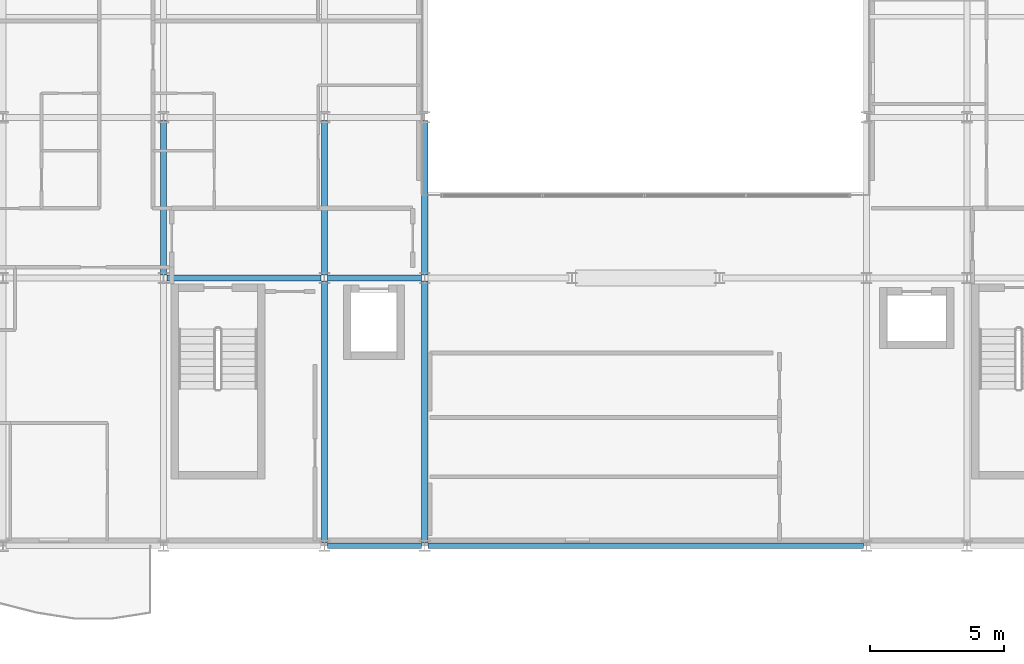
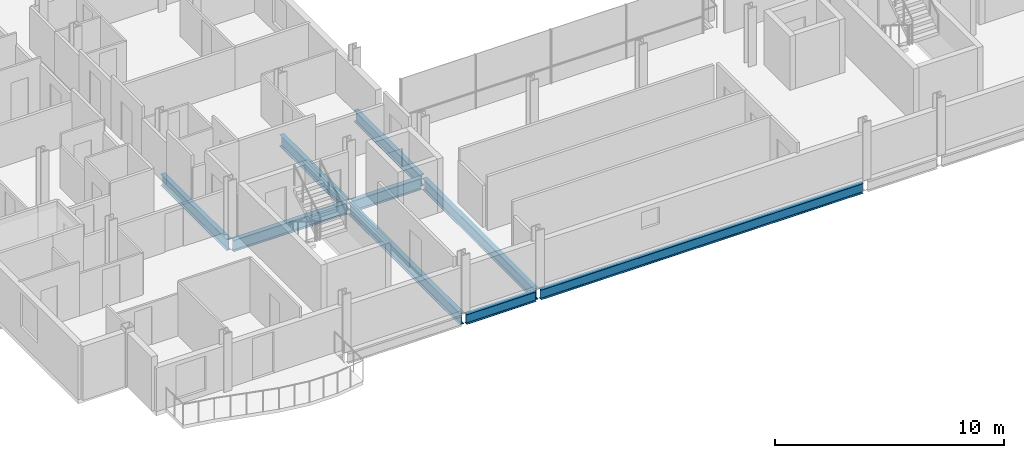
# One storey, part 3 of 41: 9 beams.
"""IFC4 building model written with IfcOpenShell, lengths in metres."""

from ifc_helpers import new_model, si_unit, direction, frame, origin, origin_2d, place, context, subcontext, project, spatial, i_section, extrude, material, material_profile, profile_set, type_object, element, save


model = new_model("IFC4")

# Units and contexts
model_context = context("Model", 3, precision=1e-05, world=origin(), true_north=direction((0.0, 1.0)))
body_context = subcontext(model_context, "Body", "Model", "MODEL_VIEW")
ifc_project = project(units=[si_unit("LENGTHUNIT", "METRE"), si_unit("AREAUNIT", "SQUARE_METRE"), si_unit("VOLUMEUNIT", "CUBIC_METRE"), si_unit("PLANEANGLEUNIT", "RADIAN"), si_unit("MASSUNIT", "GRAM", prefix="KILO")], contexts=[model_context])

# Site, building, storey
site_placement = place(None, origin())
site = spatial("IfcSite", under=ifc_project, at=site_placement, CompositionType="ELEMENT")
building_placement = place(site_placement, origin())
building = spatial("IfcBuilding", under=site, at=building_placement, Name="Brevholm Reach", CompositionType="ELEMENT")
storey_placement = place(building_placement, frame((0.0, 0.0, 112.800048828125)))
storey = spatial("IfcBuildingStorey", under=building, at=storey_placement, Name="L33", CompositionType="ELEMENT", Elevation=112.800048828125)

# Beams
ifc_material_1 = material(Name="Structural Steel S355J2", Category="steel")
ifc_material_profile_1 = material_profile(ifc_material_1, i_section(OverallWidth=0.209228515625, OverallDepth=0.533203125, WebThickness=0.010009765625, FlangeThickness=0.015625, FilletRadius=0.0126953125, at=origin_2d()), Name="UKB 533x210x92")
ifc_profile_set_1 = profile_set([ifc_material_profile_1], Name="Structural Steel S355J2")
beam_type_1 = type_object("IfcBeamType", Name="BM-SP533", PredefinedType="SPANDREL", material=ifc_profile_set_1)
beam_1_placement = place(storey_placement, frame((18.1201171875, 0.0, -0.486572265625), z_axis=(1.0, 0.0, 0.0), x_axis=(0.0, 1.0, 0.0)))
element("IfcBeam", 1, at=beam_1_placement, inside=storey, type_object=beam_type_1, Name="L33 SP-02 Framing Beam", PredefinedType="SPANDREL", context=body_context, shape_type="SweptSolid", body=[
    extrude(i_section(OverallWidth=0.209228515625, OverallDepth=0.533203125, WebThickness=0.010009765625, FlangeThickness=0.015625, FilletRadius=0.0126953125, at=origin_2d()), origin(), (0.0, 0.0, 1.0), 3.509765625),
])
beam_2_placement = place(storey_placement, frame((21.8701171875, 0.0, -0.486572265625), z_axis=(1.0, 0.0, 0.0), x_axis=(0.0, 1.0, 0.0)))
element("IfcBeam", 2, at=beam_2_placement, inside=storey, type_object=beam_type_1, Name="L33 SP-02 Framing Beam", PredefinedType="SPANDREL", context=body_context, shape_type="SweptSolid", body=[
    extrude(i_section(OverallWidth=0.209228515625, OverallDepth=0.533203125, WebThickness=0.010009765625, FlangeThickness=0.015625, FilletRadius=0.0126953125, at=origin_2d()), origin(), (0.0, 0.0, 1.0), 16.259765625),
])
ifc_material_2 = material(Name="Structural Steel S355J2", Category="steel")
ifc_material_profile_2 = material_profile(ifc_material_2, i_section(OverallWidth=0.22900390625, OverallDepth=0.6123046875, WebThickness=0.011962890625, FlangeThickness=0.01953125, FilletRadius=0.0126953125, at=origin_2d()), Name="UKB 610x229x125")
ifc_profile_set_2 = profile_set([ifc_material_profile_2], Name="Structural Steel S355J2")
beam_type_2 = type_object("IfcBeamType", Name="BM-SP610", PredefinedType="SPANDREL", material=ifc_profile_set_2)
beam_3_placement = place(storey_placement, frame((12.1201171875, 10.0, -0.526123046875), z_axis=(1.0, 0.0, 0.0), x_axis=(0.0, 1.0, 0.0)))
element("IfcBeam", 3, at=beam_3_placement, inside=storey, type_object=beam_type_2, Name="L33 SP-01 Framing Beam", PredefinedType="SPANDREL", context=body_context, shape_type="SweptSolid", body=[
    extrude(i_section(OverallWidth=0.22900390625, OverallDepth=0.6123046875, WebThickness=0.011962890625, FlangeThickness=0.01953125, FilletRadius=0.0126953125, at=origin_2d()), origin(), (0.0, 0.0, 1.0), 5.759765625),
])
beam_4_placement = place(storey_placement, frame((18.1201171875, 10.0, -0.526123046875), z_axis=(1.0, 0.0, 0.0), x_axis=(0.0, 1.0, 0.0)))
element("IfcBeam", 4, at=beam_4_placement, inside=storey, type_object=beam_type_2, Name="L33 SP-01 Framing Beam", PredefinedType="SPANDREL", context=body_context, shape_type="SweptSolid", body=[
    extrude(i_section(OverallWidth=0.22900390625, OverallDepth=0.6123046875, WebThickness=0.011962890625, FlangeThickness=0.01953125, FilletRadius=0.0126953125, at=origin_2d()), origin(), (0.0, 0.0, 1.0), 3.509765625),
])
beam_5_placement = place(storey_placement, frame((12.0, 10.1201171875, -0.526123046875), z_axis=(0.0, 1.0, 0.0), x_axis=(-1.0, 0.0, 0.0)))
element("IfcBeam", 5, at=beam_5_placement, inside=storey, type_object=beam_type_2, Name="L33 SP-01 Framing Beam", PredefinedType="SPANDREL", context=body_context, shape_type="SweptSolid", body=[
    extrude(i_section(OverallWidth=0.22900390625, OverallDepth=0.6123046875, WebThickness=0.011962890625, FlangeThickness=0.01953125, FilletRadius=0.0126953125, at=origin_2d()), origin(), (0.0, 0.0, 1.0), 5.759765625),
])
beam_6_placement = place(storey_placement, frame((18.0, 0.1201171875, -0.526123046875), z_axis=(0.0, 1.0, 0.0), x_axis=(-1.0, 0.0, 0.0)))
element("IfcBeam", 6, at=beam_6_placement, inside=storey, type_object=beam_type_2, Name="L33 SP-01 Framing Beam", PredefinedType="SPANDREL", context=body_context, shape_type="SweptSolid", body=[
    extrude(i_section(OverallWidth=0.22900390625, OverallDepth=0.6123046875, WebThickness=0.011962890625, FlangeThickness=0.01953125, FilletRadius=0.0126953125, at=origin_2d()), origin(), (0.0, 0.0, 1.0), 9.759765625),
])
beam_7_placement = place(storey_placement, frame((18.0, 10.1201171875, -0.526123046875), z_axis=(0.0, 1.0, 0.0), x_axis=(-1.0, 0.0, 0.0)))
element("IfcBeam", 7, at=beam_7_placement, inside=storey, type_object=beam_type_2, Name="L33 SP-01 Framing Beam", PredefinedType="SPANDREL", context=body_context, shape_type="SweptSolid", body=[
    extrude(i_section(OverallWidth=0.22900390625, OverallDepth=0.6123046875, WebThickness=0.011962890625, FlangeThickness=0.01953125, FilletRadius=0.0126953125, at=origin_2d()), origin(), (0.0, 0.0, 1.0), 5.759765625),
])
beam_8_placement = place(storey_placement, frame((21.75, 0.1201171875, -0.526123046875), z_axis=(0.0, 1.0, 0.0), x_axis=(-1.0, 0.0, 0.0)))
element("IfcBeam", 8, at=beam_8_placement, inside=storey, type_object=beam_type_2, Name="L33 SP-01 Framing Beam", PredefinedType="SPANDREL", context=body_context, shape_type="SweptSolid", body=[
    extrude(i_section(OverallWidth=0.22900390625, OverallDepth=0.6123046875, WebThickness=0.011962890625, FlangeThickness=0.01953125, FilletRadius=0.0126953125, at=origin_2d()), origin(), (0.0, 0.0, 1.0), 9.759765625),
])
beam_9_placement = place(storey_placement, frame((21.75, 10.1201171875, -0.526123046875), z_axis=(0.0, 1.0, 0.0), x_axis=(-1.0, 0.0, 0.0)))
element("IfcBeam", 9, at=beam_9_placement, inside=storey, type_object=beam_type_2, Name="L33 SP-01 Framing Beam", PredefinedType="SPANDREL", context=body_context, shape_type="SweptSolid", body=[
    extrude(i_section(OverallWidth=0.22900390625, OverallDepth=0.6123046875, WebThickness=0.011962890625, FlangeThickness=0.01953125, FilletRadius=0.0126953125, at=origin_2d()), origin(), (0.0, 0.0, 1.0), 5.759765625),
])

save(model, "model.ifc")
